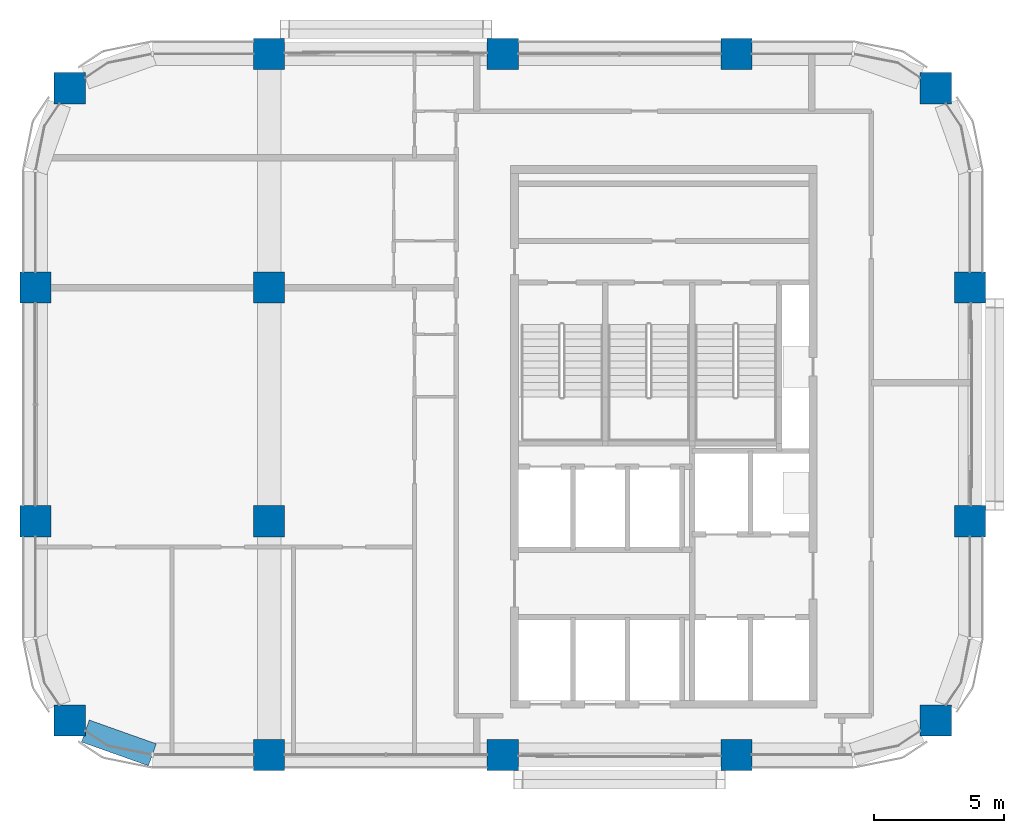
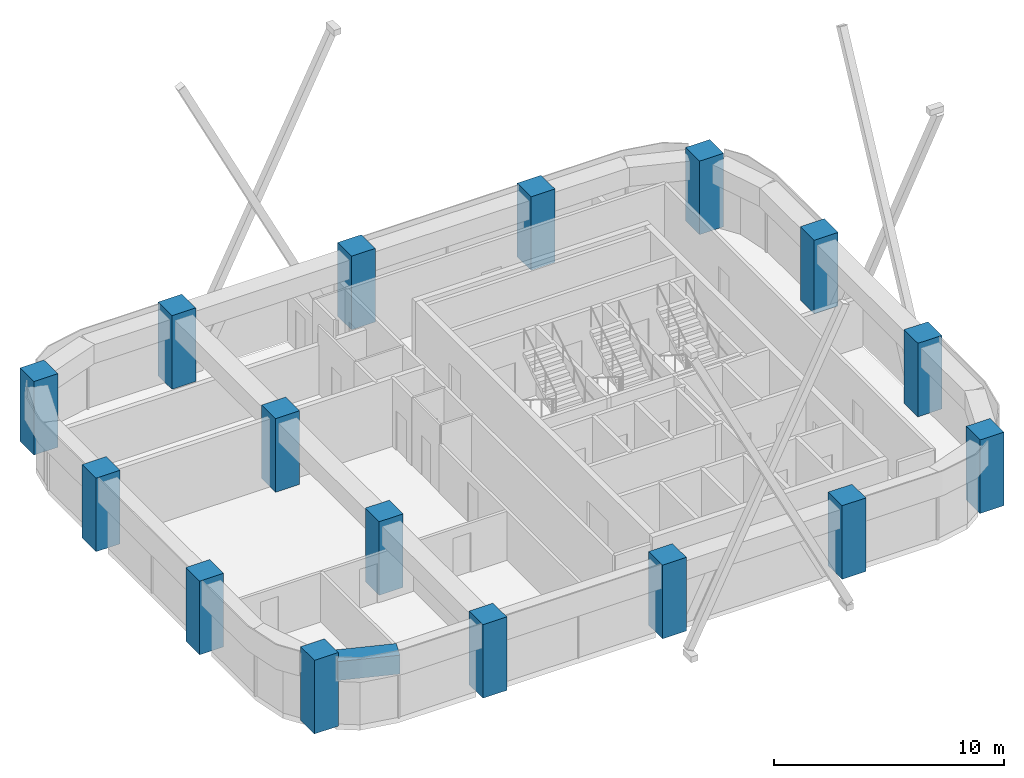
# One storey, part 1 of 10: 16 columns, 1 beam.
"""IFC4 building model written with IfcOpenShell, lengths in metres."""

import ifcopenshell
import ifcopenshell.guid

model = None  # the IFC model being written
_history = None  # IfcOwnerHistory: only IFC2X3 demands one
_inside = {}  # id of a spatial element -> (the spatial element, [elements in it])
_under = {}  # id of a project, library or spatial element -> (it, [spatial elements below it])
_declared = {}  # id of a project -> (the project, [libraries it declares])
_typed = {}  # id of a type object -> (the type object, [elements of that type])
_made_of = {}  # id of a material, layer set ... -> (it, [elements and type objects made of it])


def new_model(schema):
    """Start an empty IFC model of exactly this schema.

    Asked for "IFC4X3", IfcOpenShell would pick the latest addendum, in which some entities
    have other attributes; the version numbers below select the first issue.
    IFC2X3 requires an IfcOwnerHistory on every rooted entity: one is made here for all.
    """
    global model, _history
    if schema == "IFC4X3":
        model = ifcopenshell.file(schema_version=(4, 3, 0, 0))
    else:
        model = ifcopenshell.file(schema=schema)
    _inside.clear()
    _under.clear()
    _declared.clear()
    _typed.clear()
    _made_of.clear()
    _history = None
    if model.schema == "IFC2X3":
        org = make("IfcOrganization", Name="unknown")
        user = make(
            "IfcPersonAndOrganization",
            ThePerson=make("IfcPerson", FamilyName="unknown"),
            TheOrganization=org,
        )
        app = make(
            "IfcApplication",
            ApplicationDeveloper=org,
            Version="unknown",
            ApplicationFullName="unknown",
            ApplicationIdentifier="unknown",
        )
        _history = make(
            "IfcOwnerHistory",
            OwningUser=user,
            OwningApplication=app,
            ChangeAction="ADDED",
            CreationDate=0,
        )
    return model


def make(cls, **values):
    """One entity of the class cls with the attributes given. An attribute that is None is left unset."""
    return model.create_entity(
        cls, **{name: value for name, value in values.items() if value is not None}
    )


def rooted(cls, **values):
    """An entity with a GlobalId (a new one), such as an element, a storey or a relation."""
    return make(cls, GlobalId=ifcopenshell.guid.new(), OwnerHistory=_history, **values)


def si_unit(unit_type, name, prefix=None):
    """IfcSIUnit, for example si_unit("LENGTHUNIT", "METRE", prefix="MILLI")."""
    return make("IfcSIUnit", UnitType=unit_type, Prefix=prefix, Name=name)


def assignment(units):
    """IfcUnitAssignment: the units of a project."""
    return None if units is None else make("IfcUnitAssignment", Units=units)


def point(xyz):
    """IfcCartesianPoint."""
    return None if xyz is None else make("IfcCartesianPoint", Coordinates=xyz)


def direction(xyz):
    """IfcDirection."""
    return None if xyz is None else make("IfcDirection", DirectionRatios=xyz)


def frame(location, z_axis=None, x_axis=None):
    """IfcAxis2Placement3D, a coordinate frame: its origin and axes. An axis left out is left unset."""
    return make(
        "IfcAxis2Placement3D",
        Location=point(location),
        Axis=direction(z_axis),
        RefDirection=direction(x_axis),
    )


def frame_2d(location, x_axis=None):
    """IfcAxis2Placement2D, a coordinate frame in the plane: its origin and x axis."""
    return make(
        "IfcAxis2Placement2D", Location=point(location), RefDirection=direction(x_axis)
    )


def origin():
    """The frame at (0, 0, 0) with its axes left unset."""
    return frame((0.0, 0.0, 0.0))


def origin_2d():
    """The frame at (0, 0) in the plane with its x axis left unset."""
    return frame_2d((0.0, 0.0))


def place(relative_to, where):
    """IfcLocalPlacement: puts the frame where relative to a parent placement (None: the world)."""
    return make(
        "IfcLocalPlacement", PlacementRelTo=relative_to, RelativePlacement=where
    )


def context(
    kind, dimensions, precision=None, world=None, true_north=None, identifier=None
):
    """IfcGeometricRepresentationContext, for example the 3D "Model" context."""
    return make(
        "IfcGeometricRepresentationContext",
        ContextIdentifier=identifier,
        ContextType=kind,
        CoordinateSpaceDimension=dimensions,
        Precision=precision,
        WorldCoordinateSystem=world,
        TrueNorth=true_north,
    )


def subcontext(parent, identifier, kind, view, scale=None):
    """IfcGeometricRepresentationSubContext, for example "Body" below "Model"."""
    return make(
        "IfcGeometricRepresentationSubContext",
        ContextIdentifier=identifier,
        ContextType=kind,
        ParentContext=parent,
        TargetScale=scale,
        TargetView=view,
    )


def project(units=None, contexts=None):
    """IfcProject with its units and contexts."""
    return rooted(
        "IfcProject",
        Name="project",
        RepresentationContexts=contexts,
        UnitsInContext=assignment(units),
    )


def spatial(cls, under=None, at=None, **own):
    """A site, building, storey or space (cls), placed at a placement, below another one or the project."""
    s = rooted(cls, ObjectPlacement=at, **own)
    if under is not None:
        _under.setdefault(under.id(), (under, []))[1].append(s)
    return s


def profile(cls, at=None, kind="AREA", **sizes):
    """A parametric profile (cls). Its sizes go by their IFC names, for example OverallWidth=200.0."""
    return make(cls, ProfileType=kind, Position=at, **sizes)


def rectangle(**sizes):
    """IfcRectangleProfileDef."""
    return profile("IfcRectangleProfileDef", **sizes)


def extrude(swept, where, along, depth):
    """IfcExtrudedAreaSolid: the profile swept, set in the frame where, extruded along a direction by depth."""
    return make(
        "IfcExtrudedAreaSolid",
        SweptArea=swept,
        Position=where,
        ExtrudedDirection=direction(along),
        Depth=depth,
    )


def shape(context_of_items, identifier, shape_type, items):
    """IfcShapeRepresentation: the items that make up one representation, for example the "Body"."""
    return make(
        "IfcShapeRepresentation",
        ContextOfItems=context_of_items,
        RepresentationIdentifier=identifier,
        RepresentationType=shape_type,
        Items=items,
    )


def material(Name=None, Category=None):
    """IfcMaterial."""
    return make("IfcMaterial", Name=Name, Category=Category)


def material_profile(
    of_material, cross_section, Name=None, Category=None, Priority=None
):
    """IfcMaterialProfile: a cross section and its material."""
    return make(
        "IfcMaterialProfile",
        Name=Name,
        Material=of_material,
        Profile=cross_section,
        Priority=Priority,
        Category=Category,
    )


def profile_set(profiles, Name=None, composite=None):
    """IfcMaterialProfileSet."""
    return make(
        "IfcMaterialProfileSet",
        Name=Name,
        MaterialProfiles=profiles,
        CompositeProfile=composite,
    )


def made_of(thing, what):
    """Note that an element or type object is made of a material, layer set ...; save() writes the relation."""
    if what is not None:
        _made_of.setdefault(what.id(), (what, []))[1].append(thing)
    return thing


def type_object(cls, material=None, **own):
    """A type object (cls), such as IfcWallType, which elements share."""
    return made_of(rooted(cls, **own), material)


def element(
    cls,
    number,
    at=None,
    inside=None,
    cuts=None,
    type_object=None,
    material=None,
    context=None,
    identifier="Body",
    shape_type=None,
    held_by="IfcProductDefinitionShape",
    body=None,
    shapes=None,
    **own,
):
    """One element of the class cls, such as IfcWall. Its Tag is "e" and its number.

    at: its placement. inside: the storey or other place that contains it. cuts: it is an
    opening in that element (IfcRelVoidsElement). A single representation is given by context,
    identifier, shape_type and body (its items); several are given by shapes. held_by: the class
    of the entity that holds the representations. save() writes the other relations.
    """
    e = rooted(cls, Tag="e%d" % number, ObjectPlacement=at, **own)
    if body is not None:
        shapes = [shape(context, identifier, shape_type, body)]
    if shapes is not None:
        e.Representation = make(held_by, Representations=shapes)
    if inside is not None:
        _inside.setdefault(inside.id(), (inside, []))[1].append(e)
    if cuts is not None:
        rooted(
            "IfcRelVoidsElement", RelatingBuildingElement=cuts, RelatedOpeningElement=e
        )
    if type_object is not None:
        _typed.setdefault(type_object.id(), (type_object, []))[1].append(e)
    return made_of(e, material)


def aggregate(whole, parts):
    """IfcRelAggregates: a whole, such as a stair, and the parts it consists of."""
    return rooted("IfcRelAggregates", RelatingObject=whole, RelatedObjects=parts)


def save(model, path):
    """Write the relations noted so far, then the file.

    IfcRelAggregates (storeys below a building ...), IfcRelContainedInSpatialStructure (elements
    in a storey), IfcRelDefinesByType, IfcRelAssociatesMaterial and IfcRelDeclares: one each for
    every whole, place, type object, material and project.
    """
    for whole, parts in _under.values():
        aggregate(whole, parts)
    for where, things in _inside.values():
        rooted(
            "IfcRelContainedInSpatialStructure",
            RelatedElements=things,
            RelatingStructure=where,
        )
    for kind, things in _typed.values():
        rooted("IfcRelDefinesByType", RelatedObjects=things, RelatingType=kind)
    for what, things in _made_of.values():
        rooted("IfcRelAssociatesMaterial", RelatedObjects=things, RelatingMaterial=what)
    for by, libraries in _declared.values():
        rooted("IfcRelDeclares", RelatingContext=by, RelatedDefinitions=libraries)
    model.write(path)


model = new_model("IFC4")

# Units and contexts
model_context = context("Model", 3, precision=1e-05, world=origin(), true_north=direction((0.0, 1.0)))
body_context = subcontext(model_context, "Body", "Model", "MODEL_VIEW")
ifc_project = project(units=[si_unit("LENGTHUNIT", "METRE"), si_unit("AREAUNIT", "SQUARE_METRE"), si_unit("VOLUMEUNIT", "CUBIC_METRE"), si_unit("PLANEANGLEUNIT", "RADIAN"), si_unit("MASSUNIT", "GRAM", prefix="KILO")], contexts=[model_context])

# Site, building, storey
site_placement = place(None, origin())
site = spatial("IfcSite", under=ifc_project, at=site_placement, CompositionType="ELEMENT")
building_placement = place(site_placement, origin())
building = spatial("IfcBuilding", under=site, at=building_placement, Name="Tessera Arch", CompositionType="ELEMENT")
storey_placement = place(building_placement, frame((0.0, 0.0, 301.199951171875)))
storey = spatial("IfcBuildingStorey", under=building, at=storey_placement, Name="L72", CompositionType="ELEMENT", Elevation=301.199951171875)

# Columns
ifc_material_1 = material(Name="Concrete C60/75", Category="concrete")
ifc_material_profile_1 = material_profile(ifc_material_1, rectangle(XDim=1.199951171875, YDim=1.199951171875, at=origin_2d()), Name="RC column 1200 x 1200 Concrete C60/75")
ifc_profile_set_1 = profile_set([ifc_material_profile_1], Name="Concrete C60/75")
column_type = type_object("IfcColumnType", Name="RC column 1200 x 1200 Concrete C60/75", PredefinedType="COLUMN", material=ifc_profile_set_1)
for number, where, z_axis, x_axis, name in (
    (1, (19.318115234375, 28.318115234375, 0.0), (0.0, 0.0, 1.0), (1.0, 0.0, 0.0), "Column C3D L72"),
    (2, (18.0, 36.0, 0.0), (0.0, 0.0, 1.0), (1.0, 0.0, 0.0), "Column C3E L72"),
    (3, (18.0, 45.0, 0.0), (0.0, 0.0, 1.0), (1.0, 0.0, 0.0), "Column C3F L72"),
    (4, (19.318115234375, 52.681884765625, 0.0), (0.0, 0.0, 1.0), (1.0, 0.0, 0.0), "Column C3G L72"),
    (5, (27.0, 27.0, 0.0), (0.0, 0.0, 1.0), (1.0, 0.0, 0.0), "Column C4D L72"),
    (6, (27.0, 36.0, 0.0), (0.0, 0.0, 1.0), (1.0, 0.0, 0.0), "Column C4E L72"),
    (7, (27.0, 45.0, 0.0), (0.0, 0.0, 1.0), (1.0, 0.0, 0.0), "Column C4F L72"),
    (8, (27.0, 54.0, 0.0), (0.0, 0.0, 1.0), (1.0, 0.0, 0.0), "Column C4G L72"),
    (9, (36.0, 27.0, 0.0), (0.0, 0.0, 1.0), (1.0, 0.0, 0.0), "Column C5D L72"),
    (10, (36.0, 54.0, 0.0), (0.0, 0.0, 1.0), (1.0, 0.0, 0.0), "Column C5G L72"),
    (11, (45.0, 27.0, 0.0), (0.0, 0.0, 1.0), (1.0, 0.0, 0.0), "Column C6D L72"),
    (12, (45.0, 54.0, 0.0), (0.0, 0.0, 1.0), (1.0, 0.0, 0.0), "Column C6G L72"),
    (13, (52.681884765625, 28.318115234375, 0.0), (0.0, 0.0, 1.0), (1.0, 0.0, 0.0), "Column C7D L72"),
    (14, (54.0, 36.0, 0.0), (0.0, 0.0, 1.0), (1.0, 0.0, 0.0), "Column C7E L72"),
    (15, (54.0, 45.0, 0.0), (0.0, 0.0, 1.0), (1.0, 0.0, 0.0), "Column C7F L72"),
    (16, (52.681884765625, 52.681884765625, 0.0), (0.0, 0.0, 1.0), (1.0, 0.0, 0.0), "Column C7G L72"),
):
    element("IfcColumn", number, at=place(storey_placement, frame(where, z_axis=z_axis, x_axis=x_axis)), inside=storey, type_object=column_type, Name=name, PredefinedType="COLUMN", context=body_context, shape_type="SweptSolid", body=[
        extrude(rectangle(XDim=1.199951171875, YDim=1.199951171875, at=origin_2d()), origin(), (0.0, 0.0, 1.0), 3.900146484375),
    ])

# Beam
ifc_material_2 = material(Name="Concrete C60/75", Category="concrete")
ifc_material_profile_2 = material_profile(ifc_material_2, rectangle(XDim=0.89990234375, YDim=1.0, at=origin_2d()), Name="RC spandrel beam 900 x 1000 Concrete C60/75")
ifc_profile_set_2 = profile_set([ifc_material_profile_2], Name="Concrete C60/75")
beam_type = type_object("IfcBeamType", Name="RC spandrel beam 900 x 1000 Concrete C60/75", PredefinedType="BEAM", material=ifc_profile_set_2)
beam_placement = place(storey_placement, frame((19.91796875, 27.9169921875, 3.10009765625), z_axis=(0.942337127159, -0.334665114373, 0.0), x_axis=(0.334665114373, 0.942337127159, 0.0)))
element("IfcBeam", 17, at=beam_placement, inside=storey, type_object=beam_type, Name="Spandrel beam L72 S27.18/0.1", PredefinedType="BEAM", context=body_context, shape_type="SweptSolid", body=[
    extrude(rectangle(XDim=0.89990234375, YDim=1.0, at=origin_2d()), origin(), (0.0, 0.0, 1.0), 2.739990234375),
])

save(model, "model.ifc")
